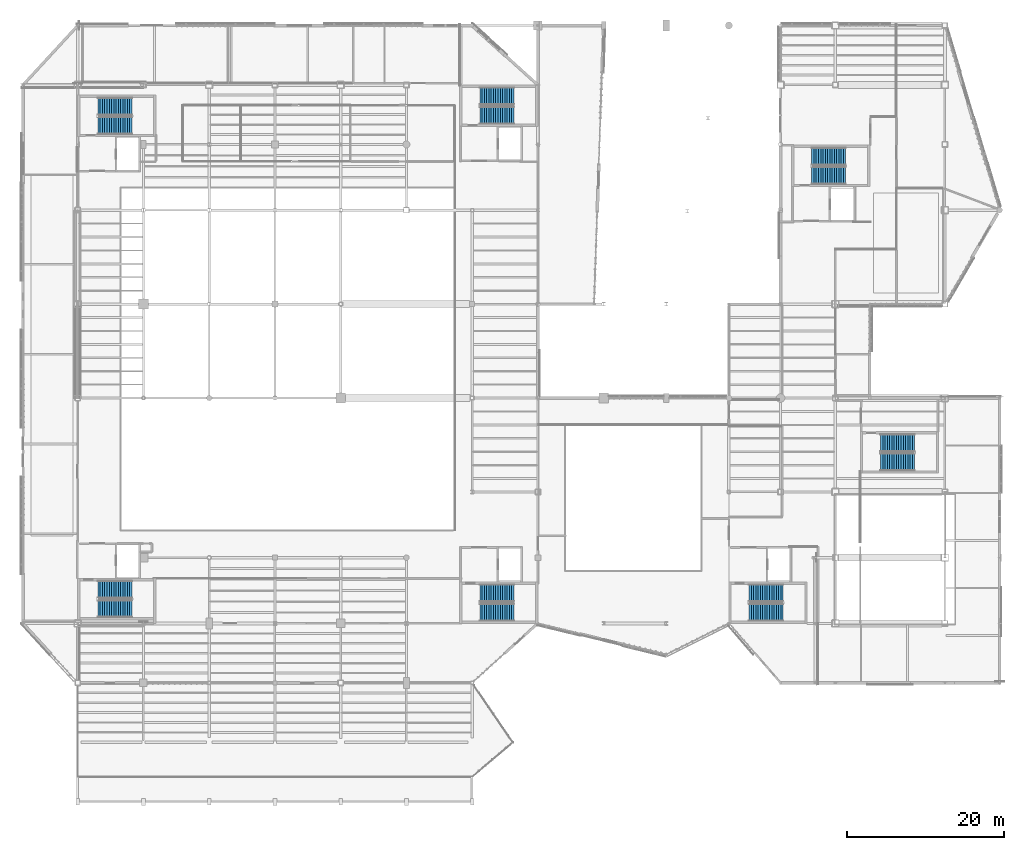
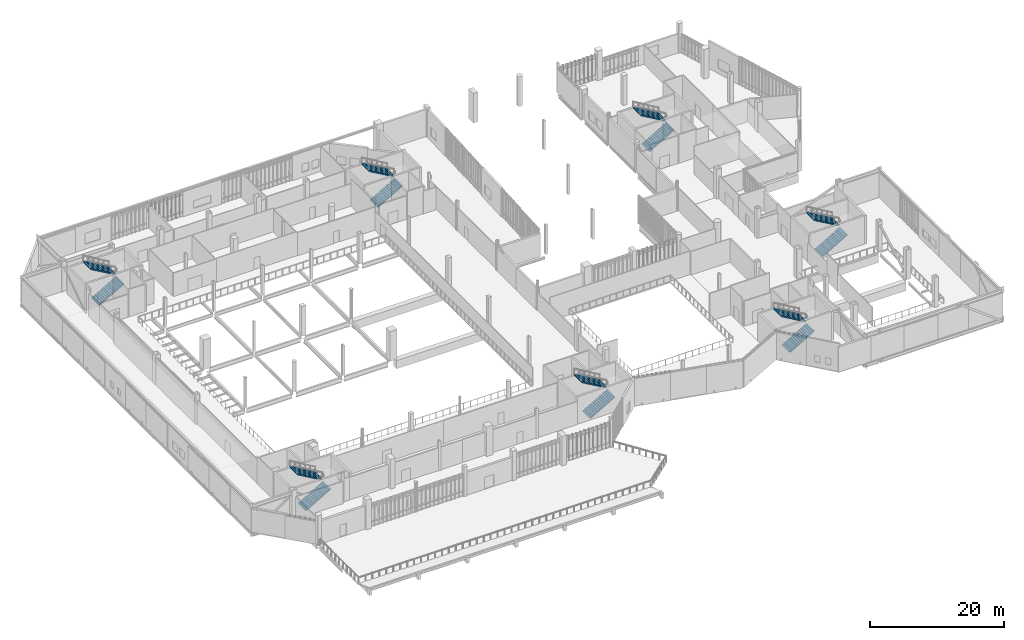
# One storey, part 112 of 127: 14 stair flights, 7 elements without a shape of their own.
"""IFC4 building model written with IfcOpenShell, lengths in metres."""

from ifc_helpers import new_model, si_unit, direction, frame, origin, place, context, subcontext, project, spatial, polyline, outline, extrude, material, type_object, element, aggregate, save


model = new_model("IFC4")

# Units and contexts
model_context = context("Model", 3, precision=1e-05, world=origin(), true_north=direction((0.0, 1.0)))
body_context = subcontext(model_context, "Body", "Model", "MODEL_VIEW")
ifc_project = project(units=[si_unit("LENGTHUNIT", "METRE"), si_unit("AREAUNIT", "SQUARE_METRE"), si_unit("VOLUMEUNIT", "CUBIC_METRE"), si_unit("PLANEANGLEUNIT", "RADIAN"), si_unit("MASSUNIT", "GRAM", prefix="KILO")], contexts=[model_context])

# Site, building, storey
site_placement = place(None, origin())
site = spatial("IfcSite", under=ifc_project, at=site_placement, CompositionType="ELEMENT")
building_placement = place(site_placement, origin())
building = spatial("IfcBuilding", under=site, at=building_placement, Name="Larkvane Passage Sports Hall", CompositionType="ELEMENT")
storey_placement = place(building_placement, frame((0.0, 0.0, 5.39990234375)))
storey = spatial("IfcBuildingStorey", under=building, at=storey_placement, Name="L01", CompositionType="ELEMENT", Elevation=5.39990234375)

# Stair, stair flights
ifc_material = material(Name="Concrete C40/50", Category="concrete")
stair_type = type_object("IfcStairType", Name="STR-CORE-2250", PredefinedType="HALF_TURN_STAIR", material=ifc_material)
stair_1_placement = place(storey_placement, origin())
stair_1 = element("IfcStair", 1, at=stair_1_placement, inside=storey, type_object=stair_type, Name="L01 Protected exit stair ST-01", PredefinedType="HALF_TURN_STAIR")
stair_flight_type = type_object("IfcStairFlightType", Name="SFL-RC-2250", PredefinedType="STRAIGHT", material=ifc_material)
stair_flight_1_placement = place(storey_placement, frame((37.3798828125, 24.675048828125, 0.0), z_axis=(0.0, 0.0, 1.0), x_axis=(1.0, 0.0, 0.0)))
stair_flight_1 = element("IfcStairFlight", 2, at=stair_flight_1_placement, type_object=stair_flight_type, Name="ST-01 flight 1", NumberOfRisers=16, NumberOfTreads=15, PredefinedType="STRAIGHT", RiserHeight=0.16875, TreadLength=0.29, context=body_context, shape_type="SweptSolid", body=[
    extrude(outline(polyline([(0.0, 0.0), (0.0, 0.168701171875), (0.2900390625, 0.168701171875), (0.2900390625, 0.33740234375), (0.580078125, 0.33740234375), (0.580078125, 0.50634765625), (0.8701171875, 0.50634765625), (0.8701171875, 0.675048828125), (1.159912109375, 0.675048828125), (1.159912109375, 0.84375), (1.449951171875, 0.84375), (1.449951171875, 1.012451171875), (1.739990234375, 1.012451171875), (1.739990234375, 1.18115234375), (2.030029296875, 1.18115234375), (2.030029296875, 1.35009765625), (2.320068359375, 1.35009765625), (2.320068359375, 1.518798828125), (2.610107421875, 1.518798828125), (2.610107421875, 1.6875), (2.89990234375, 1.6875), (2.89990234375, 1.856201171875), (3.18994140625, 1.856201171875), (3.18994140625, 2.02490234375), (3.47998046875, 2.02490234375), (3.47998046875, 2.19384765625), (3.77001953125, 2.19384765625), (3.77001953125, 2.362548828125), (4.06005859375, 2.362548828125), (4.06005859375, 2.53125), (4.35009765625, 2.53125), (4.35009765625, 2.699951171875), (4.35009765625, 2.34619140625), (0.31787109375, 0.0), (0.0, 0.0)])), frame((0.0, 1.125, 0.0), z_axis=(0.0, -1.0, 0.0), x_axis=(1.0, 0.0, 0.0)), (0.0, 0.0, 1.0), 2.25),
])
stair_flight_2_placement = place(storey_placement, frame((41.72998046875, 27.125, 2.7001953125), z_axis=(0.0, 0.0, 1.0), x_axis=(-1.0, 0.0, 0.0)))
stair_flight_2 = element("IfcStairFlight", 3, at=stair_flight_2_placement, type_object=stair_flight_type, Name="ST-01 flight 2", NumberOfRisers=16, NumberOfTreads=15, PredefinedType="STRAIGHT", RiserHeight=0.16875, TreadLength=0.29, context=body_context, shape_type="SweptSolid", body=[
    extrude(outline(polyline([(0.0, 0.0), (0.0, 0.168701171875), (0.2900390625, 0.168701171875), (0.2900390625, 0.33740234375), (0.580078125, 0.33740234375), (0.580078125, 0.50634765625), (0.8701171875, 0.50634765625), (0.8701171875, 0.675048828125), (1.159912109375, 0.675048828125), (1.159912109375, 0.84375), (1.449951171875, 0.84375), (1.449951171875, 1.012451171875), (1.739990234375, 1.012451171875), (1.739990234375, 1.18115234375), (2.030029296875, 1.18115234375), (2.030029296875, 1.35009765625), (2.320068359375, 1.35009765625), (2.320068359375, 1.518798828125), (2.610107421875, 1.518798828125), (2.610107421875, 1.6875), (2.89990234375, 1.6875), (2.89990234375, 1.856201171875), (3.18994140625, 1.856201171875), (3.18994140625, 2.02490234375), (3.47998046875, 2.02490234375), (3.47998046875, 2.19384765625), (3.77001953125, 2.19384765625), (3.77001953125, 2.362548828125), (4.06005859375, 2.362548828125), (4.06005859375, 2.53125), (4.35009765625, 2.53125), (4.35009765625, 2.699951171875), (4.35009765625, 2.34619140625), (0.31787109375, 0.0), (0.0, 0.0)])), frame((0.0, 1.125, 0.0), z_axis=(0.0, -1.0, 0.0), x_axis=(1.0, 0.0, 0.0)), (0.0, 0.0, 1.0), 2.25),
])
aggregate(stair_1, [stair_flight_1, stair_flight_2])

stair_2_placement = place(storey_placement, origin())
stair_2 = element("IfcStair", 4, at=stair_2_placement, inside=storey, type_object=stair_type, Name="L01 Protected exit stair ST-02", PredefinedType="HALF_TURN_STAIR")
stair_flight_3_placement = place(storey_placement, frame((37.3798828125, 86.425048828125, 0.0), z_axis=(0.0, 0.0, 1.0), x_axis=(1.0, 0.0, 0.0)))
stair_flight_3 = element("IfcStairFlight", 5, at=stair_flight_3_placement, type_object=stair_flight_type, Name="ST-02 flight 1", NumberOfRisers=16, NumberOfTreads=15, PredefinedType="STRAIGHT", RiserHeight=0.16875, TreadLength=0.29, context=body_context, shape_type="SweptSolid", body=[
    extrude(outline(polyline([(0.0, 0.0), (0.0, 0.168701171875), (0.2900390625, 0.168701171875), (0.2900390625, 0.33740234375), (0.580078125, 0.33740234375), (0.580078125, 0.50634765625), (0.8701171875, 0.50634765625), (0.8701171875, 0.675048828125), (1.159912109375, 0.675048828125), (1.159912109375, 0.84375), (1.449951171875, 0.84375), (1.449951171875, 1.012451171875), (1.739990234375, 1.012451171875), (1.739990234375, 1.18115234375), (2.030029296875, 1.18115234375), (2.030029296875, 1.35009765625), (2.320068359375, 1.35009765625), (2.320068359375, 1.518798828125), (2.610107421875, 1.518798828125), (2.610107421875, 1.6875), (2.89990234375, 1.6875), (2.89990234375, 1.856201171875), (3.18994140625, 1.856201171875), (3.18994140625, 2.02490234375), (3.47998046875, 2.02490234375), (3.47998046875, 2.19384765625), (3.77001953125, 2.19384765625), (3.77001953125, 2.362548828125), (4.06005859375, 2.362548828125), (4.06005859375, 2.53125), (4.35009765625, 2.53125), (4.35009765625, 2.699951171875), (4.35009765625, 2.34619140625), (0.31787109375, 0.0), (0.0, 0.0)])), frame((0.0, 1.125, 0.0), z_axis=(0.0, -1.0, 0.0), x_axis=(1.0, 0.0, 0.0)), (0.0, 0.0, 1.0), 2.25),
])
stair_flight_4_placement = place(storey_placement, frame((41.72998046875, 88.875, 2.7001953125), z_axis=(0.0, 0.0, 1.0), x_axis=(-1.0, 0.0, 0.0)))
stair_flight_4 = element("IfcStairFlight", 6, at=stair_flight_4_placement, type_object=stair_flight_type, Name="ST-02 flight 2", NumberOfRisers=16, NumberOfTreads=15, PredefinedType="STRAIGHT", RiserHeight=0.16875, TreadLength=0.29, context=body_context, shape_type="SweptSolid", body=[
    extrude(outline(polyline([(0.0, 0.0), (0.0, 0.168701171875), (0.2900390625, 0.168701171875), (0.2900390625, 0.33740234375), (0.580078125, 0.33740234375), (0.580078125, 0.50634765625), (0.8701171875, 0.50634765625), (0.8701171875, 0.675048828125), (1.159912109375, 0.675048828125), (1.159912109375, 0.84375), (1.449951171875, 0.84375), (1.449951171875, 1.012451171875), (1.739990234375, 1.012451171875), (1.739990234375, 1.18115234375), (2.030029296875, 1.18115234375), (2.030029296875, 1.35009765625), (2.320068359375, 1.35009765625), (2.320068359375, 1.518798828125), (2.610107421875, 1.518798828125), (2.610107421875, 1.6875), (2.89990234375, 1.6875), (2.89990234375, 1.856201171875), (3.18994140625, 1.856201171875), (3.18994140625, 2.02490234375), (3.47998046875, 2.02490234375), (3.47998046875, 2.19384765625), (3.77001953125, 2.19384765625), (3.77001953125, 2.362548828125), (4.06005859375, 2.362548828125), (4.06005859375, 2.53125), (4.35009765625, 2.53125), (4.35009765625, 2.699951171875), (4.35009765625, 2.34619140625), (0.31787109375, 0.0), (0.0, 0.0)])), frame((0.0, 1.125, 0.0), z_axis=(0.0, -1.0, 0.0), x_axis=(1.0, 0.0, 0.0)), (0.0, 0.0, 1.0), 2.25),
])
aggregate(stair_2, [stair_flight_3, stair_flight_4])

stair_3_placement = place(storey_placement, origin())
stair_3 = element("IfcStair", 7, at=stair_3_placement, inside=storey, type_object=stair_type, Name="L01 Protected exit stair ST-03", PredefinedType="HALF_TURN_STAIR")
stair_flight_5_placement = place(storey_placement, frame((86.179931640625, 87.72509765625, 0.0), z_axis=(0.0, 0.0, 1.0), x_axis=(1.0, 0.0, 0.0)))
stair_flight_5 = element("IfcStairFlight", 8, at=stair_flight_5_placement, type_object=stair_flight_type, Name="ST-03 flight 1", NumberOfRisers=16, NumberOfTreads=15, PredefinedType="STRAIGHT", RiserHeight=0.16875, TreadLength=0.29, context=body_context, shape_type="SweptSolid", body=[
    extrude(outline(polyline([(0.0, 0.0), (0.0, 0.168701171875), (0.2900390625, 0.168701171875), (0.2900390625, 0.33740234375), (0.580078125, 0.33740234375), (0.580078125, 0.50634765625), (0.8701171875, 0.50634765625), (0.8701171875, 0.675048828125), (1.159912109375, 0.675048828125), (1.159912109375, 0.84375), (1.449951171875, 0.84375), (1.449951171875, 1.012451171875), (1.739990234375, 1.012451171875), (1.739990234375, 1.18115234375), (2.030029296875, 1.18115234375), (2.030029296875, 1.35009765625), (2.320068359375, 1.35009765625), (2.320068359375, 1.518798828125), (2.610107421875, 1.518798828125), (2.610107421875, 1.6875), (2.89990234375, 1.6875), (2.89990234375, 1.856201171875), (3.18994140625, 1.856201171875), (3.18994140625, 2.02490234375), (3.47998046875, 2.02490234375), (3.47998046875, 2.19384765625), (3.77001953125, 2.19384765625), (3.77001953125, 2.362548828125), (4.06005859375, 2.362548828125), (4.06005859375, 2.53125), (4.35009765625, 2.53125), (4.35009765625, 2.699951171875), (4.35009765625, 2.34619140625), (0.31787109375, 0.0), (0.0, 0.0)])), frame((0.0, 1.125, 0.0), z_axis=(0.0, -1.0, 0.0), x_axis=(1.0, 0.0, 0.0)), (0.0, 0.0, 1.0), 2.25),
])
stair_flight_6_placement = place(storey_placement, frame((90.530029296875, 90.175048828125, 2.7001953125), z_axis=(0.0, 0.0, 1.0), x_axis=(-1.0, 0.0, 0.0)))
stair_flight_6 = element("IfcStairFlight", 9, at=stair_flight_6_placement, type_object=stair_flight_type, Name="ST-03 flight 2", NumberOfRisers=16, NumberOfTreads=15, PredefinedType="STRAIGHT", RiserHeight=0.16875, TreadLength=0.29, context=body_context, shape_type="SweptSolid", body=[
    extrude(outline(polyline([(0.0, 0.0), (0.0, 0.168701171875), (0.2900390625, 0.168701171875), (0.2900390625, 0.33740234375), (0.580078125, 0.33740234375), (0.580078125, 0.50634765625), (0.8701171875, 0.50634765625), (0.8701171875, 0.675048828125), (1.159912109375, 0.675048828125), (1.159912109375, 0.84375), (1.449951171875, 0.84375), (1.449951171875, 1.012451171875), (1.739990234375, 1.012451171875), (1.739990234375, 1.18115234375), (2.030029296875, 1.18115234375), (2.030029296875, 1.35009765625), (2.320068359375, 1.35009765625), (2.320068359375, 1.518798828125), (2.610107421875, 1.518798828125), (2.610107421875, 1.6875), (2.89990234375, 1.6875), (2.89990234375, 1.856201171875), (3.18994140625, 1.856201171875), (3.18994140625, 2.02490234375), (3.47998046875, 2.02490234375), (3.47998046875, 2.19384765625), (3.77001953125, 2.19384765625), (3.77001953125, 2.362548828125), (4.06005859375, 2.362548828125), (4.06005859375, 2.53125), (4.35009765625, 2.53125), (4.35009765625, 2.699951171875), (4.35009765625, 2.34619140625), (0.31787109375, 0.0), (0.0, 0.0)])), frame((0.0, 1.125, 0.0), z_axis=(0.0, -1.0, 0.0), x_axis=(1.0, 0.0, 0.0)), (0.0, 0.0, 1.0), 2.25),
])
aggregate(stair_3, [stair_flight_5, stair_flight_6])

stair_4_placement = place(storey_placement, origin())
stair_4 = element("IfcStair", 10, at=stair_4_placement, inside=storey, type_object=stair_type, Name="L01 Protected exit stair ST-04", PredefinedType="HALF_TURN_STAIR")
stair_flight_7_placement = place(storey_placement, frame((86.179931640625, 24.22509765625, 0.0), z_axis=(0.0, 0.0, 1.0), x_axis=(1.0, 0.0, 0.0)))
stair_flight_7 = element("IfcStairFlight", 11, at=stair_flight_7_placement, type_object=stair_flight_type, Name="ST-04 flight 1", NumberOfRisers=16, NumberOfTreads=15, PredefinedType="STRAIGHT", RiserHeight=0.16875, TreadLength=0.29, context=body_context, shape_type="SweptSolid", body=[
    extrude(outline(polyline([(0.0, 0.0), (0.0, 0.168701171875), (0.2900390625, 0.168701171875), (0.2900390625, 0.33740234375), (0.580078125, 0.33740234375), (0.580078125, 0.50634765625), (0.8701171875, 0.50634765625), (0.8701171875, 0.675048828125), (1.159912109375, 0.675048828125), (1.159912109375, 0.84375), (1.449951171875, 0.84375), (1.449951171875, 1.012451171875), (1.739990234375, 1.012451171875), (1.739990234375, 1.18115234375), (2.030029296875, 1.18115234375), (2.030029296875, 1.35009765625), (2.320068359375, 1.35009765625), (2.320068359375, 1.518798828125), (2.610107421875, 1.518798828125), (2.610107421875, 1.6875), (2.89990234375, 1.6875), (2.89990234375, 1.856201171875), (3.18994140625, 1.856201171875), (3.18994140625, 2.02490234375), (3.47998046875, 2.02490234375), (3.47998046875, 2.19384765625), (3.77001953125, 2.19384765625), (3.77001953125, 2.362548828125), (4.06005859375, 2.362548828125), (4.06005859375, 2.53125), (4.35009765625, 2.53125), (4.35009765625, 2.699951171875), (4.35009765625, 2.34619140625), (0.31787109375, 0.0), (0.0, 0.0)])), frame((0.0, 1.125, 0.0), z_axis=(0.0, -1.0, 0.0), x_axis=(1.0, 0.0, 0.0)), (0.0, 0.0, 1.0), 2.25),
])
stair_flight_8_placement = place(storey_placement, frame((90.530029296875, 26.675048828125, 2.7001953125), z_axis=(0.0, 0.0, 1.0), x_axis=(-1.0, 0.0, 0.0)))
stair_flight_8 = element("IfcStairFlight", 12, at=stair_flight_8_placement, type_object=stair_flight_type, Name="ST-04 flight 2", NumberOfRisers=16, NumberOfTreads=15, PredefinedType="STRAIGHT", RiserHeight=0.16875, TreadLength=0.29, context=body_context, shape_type="SweptSolid", body=[
    extrude(outline(polyline([(0.0, 0.0), (0.0, 0.168701171875), (0.2900390625, 0.168701171875), (0.2900390625, 0.33740234375), (0.580078125, 0.33740234375), (0.580078125, 0.50634765625), (0.8701171875, 0.50634765625), (0.8701171875, 0.675048828125), (1.159912109375, 0.675048828125), (1.159912109375, 0.84375), (1.449951171875, 0.84375), (1.449951171875, 1.012451171875), (1.739990234375, 1.012451171875), (1.739990234375, 1.18115234375), (2.030029296875, 1.18115234375), (2.030029296875, 1.35009765625), (2.320068359375, 1.35009765625), (2.320068359375, 1.518798828125), (2.610107421875, 1.518798828125), (2.610107421875, 1.6875), (2.89990234375, 1.6875), (2.89990234375, 1.856201171875), (3.18994140625, 1.856201171875), (3.18994140625, 2.02490234375), (3.47998046875, 2.02490234375), (3.47998046875, 2.19384765625), (3.77001953125, 2.19384765625), (3.77001953125, 2.362548828125), (4.06005859375, 2.362548828125), (4.06005859375, 2.53125), (4.35009765625, 2.53125), (4.35009765625, 2.699951171875), (4.35009765625, 2.34619140625), (0.31787109375, 0.0), (0.0, 0.0)])), frame((0.0, 1.125, 0.0), z_axis=(0.0, -1.0, 0.0), x_axis=(1.0, 0.0, 0.0)), (0.0, 0.0, 1.0), 2.25),
])
aggregate(stair_4, [stair_flight_7, stair_flight_8])

stair_5_placement = place(storey_placement, origin())
stair_5 = element("IfcStair", 13, at=stair_5_placement, inside=storey, type_object=stair_type, Name="L01 Protected exit stair ST-05", PredefinedType="HALF_TURN_STAIR")
stair_flight_9_placement = place(storey_placement, frame((120.580078125, 24.22509765625, 0.0), z_axis=(0.0, 0.0, 1.0), x_axis=(1.0, 0.0, 0.0)))
stair_flight_9 = element("IfcStairFlight", 14, at=stair_flight_9_placement, type_object=stair_flight_type, Name="ST-05 flight 1", NumberOfRisers=16, NumberOfTreads=15, PredefinedType="STRAIGHT", RiserHeight=0.16875, TreadLength=0.29, context=body_context, shape_type="SweptSolid", body=[
    extrude(outline(polyline([(0.0, 0.0), (0.0, 0.168701171875), (0.2900390625, 0.168701171875), (0.2900390625, 0.33740234375), (0.580078125, 0.33740234375), (0.580078125, 0.50634765625), (0.8701171875, 0.50634765625), (0.8701171875, 0.675048828125), (1.159912109375, 0.675048828125), (1.159912109375, 0.84375), (1.449951171875, 0.84375), (1.449951171875, 1.012451171875), (1.739990234375, 1.012451171875), (1.739990234375, 1.18115234375), (2.030029296875, 1.18115234375), (2.030029296875, 1.35009765625), (2.320068359375, 1.35009765625), (2.320068359375, 1.518798828125), (2.610107421875, 1.518798828125), (2.610107421875, 1.6875), (2.89990234375, 1.6875), (2.89990234375, 1.856201171875), (3.18994140625, 1.856201171875), (3.18994140625, 2.02490234375), (3.47998046875, 2.02490234375), (3.47998046875, 2.19384765625), (3.77001953125, 2.19384765625), (3.77001953125, 2.362548828125), (4.06005859375, 2.362548828125), (4.06005859375, 2.53125), (4.35009765625, 2.53125), (4.35009765625, 2.699951171875), (4.35009765625, 2.34619140625), (0.31787109375, 0.0), (0.0, 0.0)])), frame((0.0, 1.125, 0.0), z_axis=(0.0, -1.0, 0.0), x_axis=(1.0, 0.0, 0.0)), (0.0, 0.0, 1.0), 2.25),
])
stair_flight_10_placement = place(storey_placement, frame((124.929931640625, 26.675048828125, 2.7001953125), z_axis=(0.0, 0.0, 1.0), x_axis=(-1.0, 0.0, 0.0)))
stair_flight_10 = element("IfcStairFlight", 15, at=stair_flight_10_placement, type_object=stair_flight_type, Name="ST-05 flight 2", NumberOfRisers=16, NumberOfTreads=15, PredefinedType="STRAIGHT", RiserHeight=0.16875, TreadLength=0.29, context=body_context, shape_type="SweptSolid", body=[
    extrude(outline(polyline([(0.0, 0.0), (0.0, 0.168701171875), (0.2900390625, 0.168701171875), (0.2900390625, 0.33740234375), (0.580078125, 0.33740234375), (0.580078125, 0.50634765625), (0.8701171875, 0.50634765625), (0.8701171875, 0.675048828125), (1.159912109375, 0.675048828125), (1.159912109375, 0.84375), (1.449951171875, 0.84375), (1.449951171875, 1.012451171875), (1.739990234375, 1.012451171875), (1.739990234375, 1.18115234375), (2.030029296875, 1.18115234375), (2.030029296875, 1.35009765625), (2.320068359375, 1.35009765625), (2.320068359375, 1.518798828125), (2.610107421875, 1.518798828125), (2.610107421875, 1.6875), (2.89990234375, 1.6875), (2.89990234375, 1.856201171875), (3.18994140625, 1.856201171875), (3.18994140625, 2.02490234375), (3.47998046875, 2.02490234375), (3.47998046875, 2.19384765625), (3.77001953125, 2.19384765625), (3.77001953125, 2.362548828125), (4.06005859375, 2.362548828125), (4.06005859375, 2.53125), (4.35009765625, 2.53125), (4.35009765625, 2.699951171875), (4.35009765625, 2.34619140625), (0.31787109375, 0.0), (0.0, 0.0)])), frame((0.0, 1.125, 0.0), z_axis=(0.0, -1.0, 0.0), x_axis=(1.0, 0.0, 0.0)), (0.0, 0.0, 1.0), 2.25),
])
aggregate(stair_5, [stair_flight_9, stair_flight_10])

stair_6_placement = place(storey_placement, origin())
stair_6 = element("IfcStair", 16, at=stair_6_placement, inside=storey, type_object=stair_type, Name="L01 Protected exit stair ST-06", PredefinedType="HALF_TURN_STAIR")
stair_flight_11_placement = place(storey_placement, frame((128.580078125, 80.02490234375, 0.0), z_axis=(0.0, 0.0, 1.0), x_axis=(1.0, 0.0, 0.0)))
stair_flight_11 = element("IfcStairFlight", 17, at=stair_flight_11_placement, type_object=stair_flight_type, Name="ST-06 flight 1", NumberOfRisers=16, NumberOfTreads=15, PredefinedType="STRAIGHT", RiserHeight=0.16875, TreadLength=0.29, context=body_context, shape_type="SweptSolid", body=[
    extrude(outline(polyline([(0.0, 0.0), (0.0, 0.168701171875), (0.2900390625, 0.168701171875), (0.2900390625, 0.33740234375), (0.580078125, 0.33740234375), (0.580078125, 0.50634765625), (0.8701171875, 0.50634765625), (0.8701171875, 0.675048828125), (1.159912109375, 0.675048828125), (1.159912109375, 0.84375), (1.449951171875, 0.84375), (1.449951171875, 1.012451171875), (1.739990234375, 1.012451171875), (1.739990234375, 1.18115234375), (2.030029296875, 1.18115234375), (2.030029296875, 1.35009765625), (2.320068359375, 1.35009765625), (2.320068359375, 1.518798828125), (2.610107421875, 1.518798828125), (2.610107421875, 1.6875), (2.89990234375, 1.6875), (2.89990234375, 1.856201171875), (3.18994140625, 1.856201171875), (3.18994140625, 2.02490234375), (3.47998046875, 2.02490234375), (3.47998046875, 2.19384765625), (3.77001953125, 2.19384765625), (3.77001953125, 2.362548828125), (4.06005859375, 2.362548828125), (4.06005859375, 2.53125), (4.35009765625, 2.53125), (4.35009765625, 2.699951171875), (4.35009765625, 2.34619140625), (0.31787109375, 0.0), (0.0, 0.0)])), frame((0.0, 1.125, 0.0), z_axis=(0.0, -1.0, 0.0), x_axis=(1.0, 0.0, 0.0)), (0.0, 0.0, 1.0), 2.25),
])
stair_flight_12_placement = place(storey_placement, frame((132.929931640625, 82.47509765625, 2.7001953125), z_axis=(0.0, 0.0, 1.0), x_axis=(-1.0, 0.0, 0.0)))
stair_flight_12 = element("IfcStairFlight", 18, at=stair_flight_12_placement, type_object=stair_flight_type, Name="ST-06 flight 2", NumberOfRisers=16, NumberOfTreads=15, PredefinedType="STRAIGHT", RiserHeight=0.16875, TreadLength=0.29, context=body_context, shape_type="SweptSolid", body=[
    extrude(outline(polyline([(0.0, 0.0), (0.0, 0.168701171875), (0.2900390625, 0.168701171875), (0.2900390625, 0.33740234375), (0.580078125, 0.33740234375), (0.580078125, 0.50634765625), (0.8701171875, 0.50634765625), (0.8701171875, 0.675048828125), (1.159912109375, 0.675048828125), (1.159912109375, 0.84375), (1.449951171875, 0.84375), (1.449951171875, 1.012451171875), (1.739990234375, 1.012451171875), (1.739990234375, 1.18115234375), (2.030029296875, 1.18115234375), (2.030029296875, 1.35009765625), (2.320068359375, 1.35009765625), (2.320068359375, 1.518798828125), (2.610107421875, 1.518798828125), (2.610107421875, 1.6875), (2.89990234375, 1.6875), (2.89990234375, 1.856201171875), (3.18994140625, 1.856201171875), (3.18994140625, 2.02490234375), (3.47998046875, 2.02490234375), (3.47998046875, 2.19384765625), (3.77001953125, 2.19384765625), (3.77001953125, 2.362548828125), (4.06005859375, 2.362548828125), (4.06005859375, 2.53125), (4.35009765625, 2.53125), (4.35009765625, 2.699951171875), (4.35009765625, 2.34619140625), (0.31787109375, 0.0), (0.0, 0.0)])), frame((0.0, 1.125, 0.0), z_axis=(0.0, -1.0, 0.0), x_axis=(1.0, 0.0, 0.0)), (0.0, 0.0, 1.0), 2.25),
])
aggregate(stair_6, [stair_flight_11, stair_flight_12])

stair_7_placement = place(storey_placement, origin())
stair_7 = element("IfcStair", 19, at=stair_7_placement, inside=storey, type_object=stair_type, Name="L01 Protected exit stair ST-07", PredefinedType="HALF_TURN_STAIR")
stair_flight_13_placement = place(storey_placement, frame((137.3798828125, 43.425048828125, 0.0), z_axis=(0.0, 0.0, 1.0), x_axis=(1.0, 0.0, 0.0)))
stair_flight_13 = element("IfcStairFlight", 20, at=stair_flight_13_placement, type_object=stair_flight_type, Name="ST-07 flight 1", NumberOfRisers=16, NumberOfTreads=15, PredefinedType="STRAIGHT", RiserHeight=0.16875, TreadLength=0.29, context=body_context, shape_type="SweptSolid", body=[
    extrude(outline(polyline([(0.0, 0.0), (0.0, 0.168701171875), (0.2900390625, 0.168701171875), (0.2900390625, 0.33740234375), (0.580078125, 0.33740234375), (0.580078125, 0.50634765625), (0.8701171875, 0.50634765625), (0.8701171875, 0.675048828125), (1.159912109375, 0.675048828125), (1.159912109375, 0.84375), (1.449951171875, 0.84375), (1.449951171875, 1.012451171875), (1.739990234375, 1.012451171875), (1.739990234375, 1.18115234375), (2.030029296875, 1.18115234375), (2.030029296875, 1.35009765625), (2.320068359375, 1.35009765625), (2.320068359375, 1.518798828125), (2.610107421875, 1.518798828125), (2.610107421875, 1.6875), (2.89990234375, 1.6875), (2.89990234375, 1.856201171875), (3.18994140625, 1.856201171875), (3.18994140625, 2.02490234375), (3.47998046875, 2.02490234375), (3.47998046875, 2.19384765625), (3.77001953125, 2.19384765625), (3.77001953125, 2.362548828125), (4.06005859375, 2.362548828125), (4.06005859375, 2.53125), (4.35009765625, 2.53125), (4.35009765625, 2.699951171875), (4.35009765625, 2.34619140625), (0.31787109375, 0.0), (0.0, 0.0)])), frame((0.0, 1.125, 0.0), z_axis=(0.0, -1.0, 0.0), x_axis=(1.0, 0.0, 0.0)), (0.0, 0.0, 1.0), 2.25),
])
stair_flight_14_placement = place(storey_placement, frame((141.72998046875, 45.875, 2.7001953125), z_axis=(0.0, 0.0, 1.0), x_axis=(-1.0, 0.0, 0.0)))
stair_flight_14 = element("IfcStairFlight", 21, at=stair_flight_14_placement, type_object=stair_flight_type, Name="ST-07 flight 2", NumberOfRisers=16, NumberOfTreads=15, PredefinedType="STRAIGHT", RiserHeight=0.16875, TreadLength=0.29, context=body_context, shape_type="SweptSolid", body=[
    extrude(outline(polyline([(0.0, 0.0), (0.0, 0.168701171875), (0.2900390625, 0.168701171875), (0.2900390625, 0.33740234375), (0.580078125, 0.33740234375), (0.580078125, 0.50634765625), (0.8701171875, 0.50634765625), (0.8701171875, 0.675048828125), (1.159912109375, 0.675048828125), (1.159912109375, 0.84375), (1.449951171875, 0.84375), (1.449951171875, 1.012451171875), (1.739990234375, 1.012451171875), (1.739990234375, 1.18115234375), (2.030029296875, 1.18115234375), (2.030029296875, 1.35009765625), (2.320068359375, 1.35009765625), (2.320068359375, 1.518798828125), (2.610107421875, 1.518798828125), (2.610107421875, 1.6875), (2.89990234375, 1.6875), (2.89990234375, 1.856201171875), (3.18994140625, 1.856201171875), (3.18994140625, 2.02490234375), (3.47998046875, 2.02490234375), (3.47998046875, 2.19384765625), (3.77001953125, 2.19384765625), (3.77001953125, 2.362548828125), (4.06005859375, 2.362548828125), (4.06005859375, 2.53125), (4.35009765625, 2.53125), (4.35009765625, 2.699951171875), (4.35009765625, 2.34619140625), (0.31787109375, 0.0), (0.0, 0.0)])), frame((0.0, 1.125, 0.0), z_axis=(0.0, -1.0, 0.0), x_axis=(1.0, 0.0, 0.0)), (0.0, 0.0, 1.0), 2.25),
])
aggregate(stair_7, [stair_flight_13, stair_flight_14])

save(model, "model.ifc")
